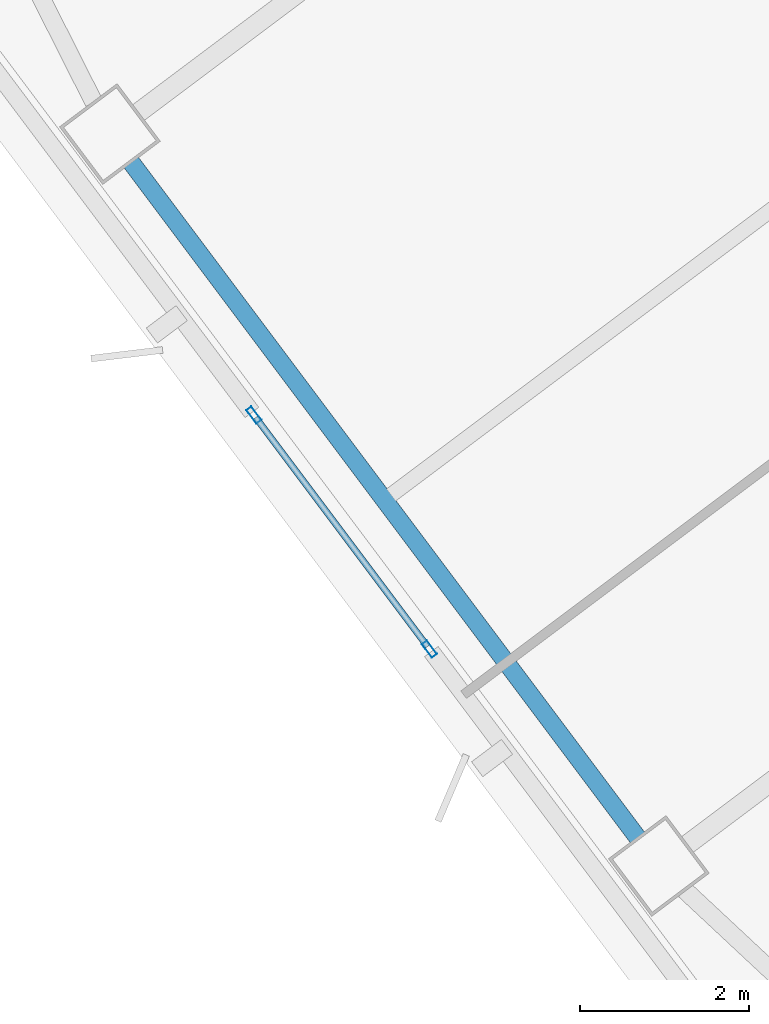
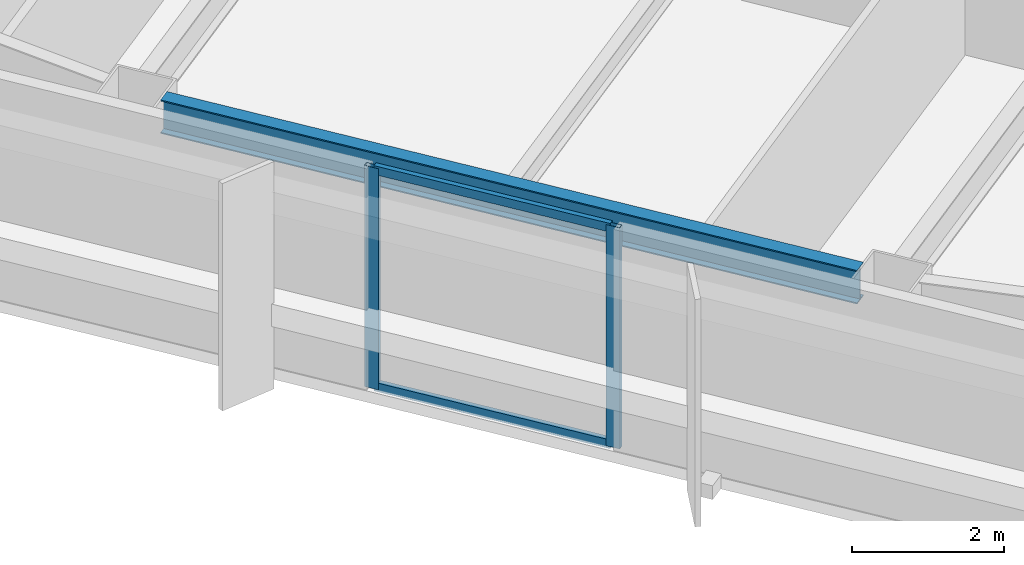
# One storey, part 19 of 48: 4 members, 1 beam, 1 element without a shape of its own.
"""IFC4 building model written with IfcOpenShell, lengths in metres."""

from ifc_helpers import new_model, si_unit, direction, frame, origin, origin_2d, place, context, subcontext, project, spatial, hollow_rectangle, i_section, extrude, material, material_profile, profile_set, type_object, element, aggregate, save


model = new_model("IFC4")

# Units and contexts
model_context = context("Model", 3, precision=1e-05, world=origin(), true_north=direction((0.0, 1.0)))
body_context = subcontext(model_context, "Body", "Model", "MODEL_VIEW")
ifc_project = project(units=[si_unit("LENGTHUNIT", "METRE"), si_unit("AREAUNIT", "SQUARE_METRE"), si_unit("VOLUMEUNIT", "CUBIC_METRE"), si_unit("PLANEANGLEUNIT", "RADIAN"), si_unit("MASSUNIT", "GRAM", prefix="KILO")], contexts=[model_context])

# Site, building, storey
site_placement = place(None, origin())
site = spatial("IfcSite", under=ifc_project, at=site_placement, CompositionType="ELEMENT")
building_placement = place(site_placement, origin())
building = spatial("IfcBuilding", under=site, at=building_placement, Name="Tashvorn Skyway Center", CompositionType="ELEMENT")
storey_placement = place(building_placement, frame((0.0, 0.0, 125.050048828125)))
storey = spatial("IfcBuildingStorey", under=building, at=storey_placement, Name="L33", CompositionType="ELEMENT", Elevation=125.050048828125)

# Beam
ifc_material_1 = material(Name="Steel ASTM A992 Grade 50", Category="steel")
ifc_material_profile_1 = material_profile(ifc_material_1, i_section(OverallWidth=0.2109375, OverallDepth=0.5390625, WebThickness=0.01171875, FlangeThickness=0.018798828125, at=origin_2d()), Name="W21X73")
ifc_profile_set_1 = profile_set([ifc_material_profile_1], Name="Steel ASTM A992 Grade 50")
beam_type = type_object("IfcBeamType", Name="BM-SPANDREL-W21X73", PredefinedType="SPANDREL", material=ifc_profile_set_1)
beam_placement = place(storey_placement, frame((96.89208984375, 25.39404296875, 3.100341796875), z_axis=(0.599988234018, -0.800008824351, 0.0), x_axis=(0.800008824351, 0.599988234018, 0.0)))
element("IfcBeam", 1, at=beam_placement, inside=storey, type_object=beam_type, Name="Tower 2 L33 Spandrel Beam 11", PredefinedType="SPANDREL", context=body_context, shape_type="SweptSolid", body=[
    extrude(i_section(OverallWidth=0.2109375, OverallDepth=0.5390625, WebThickness=0.01171875, FlangeThickness=0.018798828125, at=origin_2d()), origin(), (0.0, 0.0, 1.0), 9.9599609375),
])

# Curtain wall, members
ifc_material_2 = material(Name="Thermally broken bronze-anodized aluminium 6063-T6", Category="aluminium")
curtain_wall_type = type_object("IfcCurtainWallType", Name="CW-CW-Z3", PredefinedType="NOTDEFINED", material=ifc_material_2)
curtain_wall_placement = place(storey_placement, origin())
curtain_wall = element("IfcCurtainWall", 2, at=curtain_wall_placement, inside=storey, type_object=curtain_wall_type, Name="Tower 2 L33 West Unitised Curtain Wall Glazing Group 2", PredefinedType="NOTDEFINED")
ifc_material_profile_2 = material_profile(ifc_material_2, hollow_rectangle(XDim=0.074951171875, YDim=0.199951171875, WallThickness=0.00439453125, at=origin_2d()), Name="ALU-MULL-75x200")
ifc_profile_set_2 = profile_set([ifc_material_profile_2], Name="Thermally broken bronze-anodized aluminium 6063-T6")
member_type_1 = type_object("IfcMemberType", Name="CWM-CW-Z3", PredefinedType="MULLION", material=ifc_profile_set_2)
member_1_placement = place(storey_placement, frame((100.412109375, 19.650390625, 0.0), z_axis=(0.0, 0.0, 1.0), x_axis=(-0.799999999998, -0.600000000002, 0.0)))
member_1 = element("IfcMember", 3, at=member_1_placement, type_object=member_type_1, Name="CW-Z3 mullion 1", PredefinedType="MULLION", context=body_context, shape_type="SweptSolid", body=[
    extrude(hollow_rectangle(XDim=0.074951171875, YDim=0.199951171875, WallThickness=0.00439453125, at=origin_2d()), origin(), (0.0, 0.0, 1.0), 3.550048828125),
])
member_2_placement = place(storey_placement, frame((98.33984375, 22.41357421875, 0.0), z_axis=(0.0, 0.0, 1.0), x_axis=(-0.799999999998, -0.600000000002, 0.0)))
member_2 = element("IfcMember", 4, at=member_2_placement, type_object=member_type_1, Name="CW-Z3 mullion 2", PredefinedType="MULLION", context=body_context, shape_type="SweptSolid", body=[
    extrude(hollow_rectangle(XDim=0.074951171875, YDim=0.199951171875, WallThickness=0.00439453125, at=origin_2d()), origin(), (0.0, 0.0, 1.0), 3.550048828125),
])
ifc_material_profile_3 = material_profile(ifc_material_2, hollow_rectangle(XDim=0.074951171875, YDim=0.139892578125, WallThickness=0.004150390625, at=origin_2d()), Name="ALU-TRAN-75x140")
ifc_profile_set_3 = profile_set([ifc_material_profile_3], Name="Thermally broken bronze-anodized aluminium 6063-T6")
member_type_2 = type_object("IfcMemberType", Name="CWT-CW-Z3", PredefinedType="USERDEFINED", material=ifc_profile_set_3)
member_3_placement = place(storey_placement, frame((100.3896484375, 19.680419921875, 0.037353515625), z_axis=(-0.6, 0.8, 0.0), x_axis=(-0.8, -0.6, 0.0)))
member_3 = element("IfcMember", 5, at=member_3_placement, type_object=member_type_2, Name="CW-Z3 transom 1.1", ObjectType="TRANSOM", PredefinedType="USERDEFINED", context=body_context, shape_type="SweptSolid", body=[
    extrude(hollow_rectangle(XDim=0.074951171875, YDim=0.139892578125, WallThickness=0.004150390625, at=origin_2d()), origin(), (0.0, 0.0, 1.0), 3.37890625),
])
member_4_placement = place(storey_placement, frame((100.3896484375, 19.680419921875, 3.512451171875), z_axis=(-0.6, 0.8, 0.0), x_axis=(-0.8, -0.6, 0.0)))
member_4 = element("IfcMember", 6, at=member_4_placement, type_object=member_type_2, Name="CW-Z3 transom 1.2", ObjectType="TRANSOM", PredefinedType="USERDEFINED", context=body_context, shape_type="SweptSolid", body=[
    extrude(hollow_rectangle(XDim=0.074951171875, YDim=0.139892578125, WallThickness=0.004150390625, at=origin_2d()), origin(), (0.0, 0.0, 1.0), 3.37890625),
])
aggregate(curtain_wall, [member_1, member_2, member_3, member_4])

save(model, "model.ifc")
